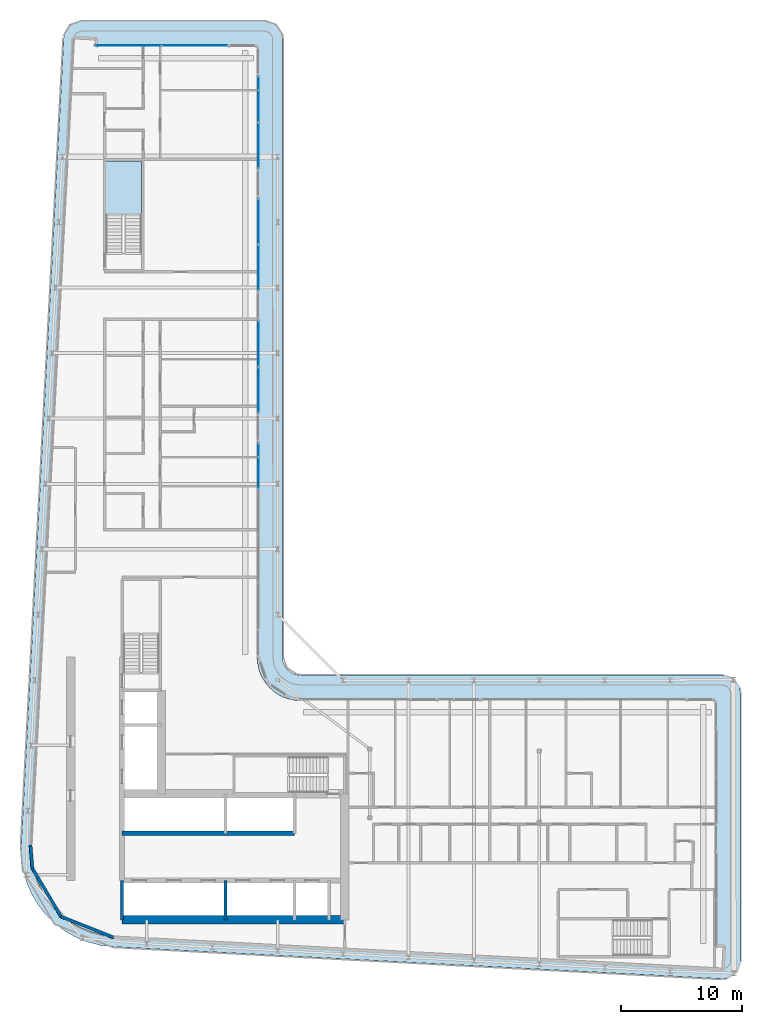
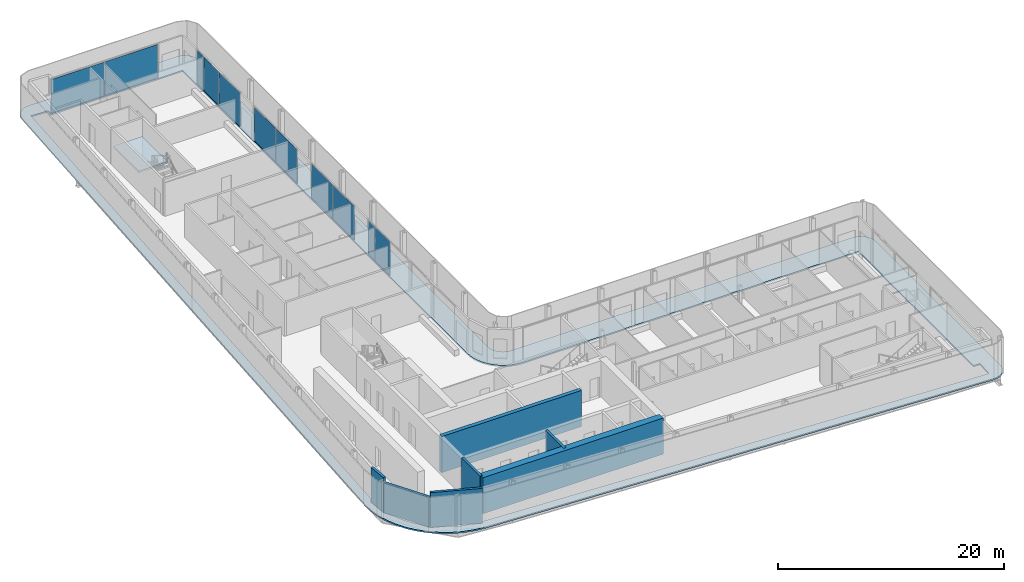
# One storey, part 9 of 22: 11 plates, 7 walls, 2 slabs, 6 elements without a shape of their own.
"""IFC4 building model written with IfcOpenShell, lengths in metres."""

from ifc_helpers import new_model, si_unit, direction, frame, frame_2d, origin, origin_2d, place, context, subcontext, project, spatial, polyline, rectangle, outline, extrude, material, layer, layer_set, type_object, element, aggregate, save


model = new_model("IFC4")

# Units and contexts
model_context = context("Model", 3, precision=1e-05, world=origin(), true_north=direction((0.0, 1.0)))
body_context = subcontext(model_context, "Body", "Model", "MODEL_VIEW")
ifc_project = project(units=[si_unit("LENGTHUNIT", "METRE"), si_unit("AREAUNIT", "SQUARE_METRE"), si_unit("VOLUMEUNIT", "CUBIC_METRE"), si_unit("PLANEANGLEUNIT", "RADIAN"), si_unit("MASSUNIT", "GRAM", prefix="KILO")], contexts=[model_context])

# Site, building, storey
site_placement = place(None, origin())
site = spatial("IfcSite", under=ifc_project, at=site_placement, CompositionType="ELEMENT")
building_placement = place(site_placement, origin())
building = spatial("IfcBuilding", under=site, at=building_placement, Name="Kheshtan School and Residences Tower", CompositionType="ELEMENT")
storey_placement = place(building_placement, frame((0.0, 0.0, 263.0)))
storey = spatial("IfcBuildingStorey", under=building, at=storey_placement, Name="L62", CompositionType="ELEMENT", Elevation=263.0)

# Curtain wall, plates
ifc_material_1 = material(Name="Clear low-e glass in thermally broken aluminium frame", Category="aluminium")
ifc_layer_1 = layer(ifc_material_1, 0.199951171875)
ifc_layer_set_1 = layer_set([ifc_layer_1], Name="Curtain wall CW-L")
curtain_wall_type = type_object("IfcCurtainWallType", Name="Curtain wall CW-L", PredefinedType="NOTDEFINED", material=ifc_layer_set_1)
curtain_wall_1_placement = place(storey_placement, origin())
curtain_wall_1 = element("IfcCurtainWall", 1, at=curtain_wall_1_placement, inside=storey, type_object=curtain_wall_type, Name="Curtain wall CWL7", PredefinedType="NOTDEFINED")
ifc_layer_2 = layer(ifc_material_1, 0.031982421875)
ifc_layer_set_2 = layer_set([ifc_layer_2], Name="CW-L glass panel")
plate_type = type_object("IfcPlateType", Name="CW-L glass panel", PredefinedType="CURTAIN_PANEL", material=ifc_layer_set_2)
plate_1_placement = place(storey_placement, frame((35.259033203125, 98.0, 0.0), z_axis=(0.0, 0.0, 1.0), x_axis=(1.0, 0.0, 0.0)))
plate_1 = element("IfcPlate", 2, at=plate_1_placement, type_object=plate_type, Name="CWL7 panel 1.1", PredefinedType="CURTAIN_PANEL", context=body_context, shape_type="SweptSolid", body=[
    extrude(rectangle(XDim=5.4140625, YDim=0.031982421875, at=origin_2d()), origin(), (0.0, 0.0, 1.0), 3.6298828125),
])
plate_2_placement = place(storey_placement, frame((40.73291015625, 98.0, 0.0), z_axis=(0.0, 0.0, 1.0), x_axis=(1.0, 0.0, 0.0)))
plate_2 = element("IfcPlate", 3, at=plate_2_placement, type_object=plate_type, Name="CWL7 panel 2.1", PredefinedType="CURTAIN_PANEL", context=body_context, shape_type="SweptSolid", body=[
    extrude(rectangle(XDim=5.4140625, YDim=0.031982421875, at=origin_2d()), origin(), (0.0, 0.0, 1.0), 3.6298828125),
])
aggregate(curtain_wall_1, [plate_1, plate_2])

curtain_wall_2_placement = place(storey_placement, origin())
curtain_wall_2 = element("IfcCurtainWall", 4, at=curtain_wall_2_placement, inside=storey, type_object=curtain_wall_type, Name="Curtain wall CWL8c", PredefinedType="NOTDEFINED")
plate_3_placement = place(storey_placement, frame((46.0, 94.885009765625, 0.0), z_axis=(0.0, 0.0, 1.0), x_axis=(0.0, -1.0, 0.0)))
plate_3 = element("IfcPlate", 5, at=plate_3_placement, type_object=plate_type, Name="CWL8c panel 1.1", PredefinedType="CURTAIN_PANEL", context=body_context, shape_type="SweptSolid", body=[
    extrude(rectangle(XDim=1.110107421875, YDim=0.031982421875, at=origin_2d()), origin(), (0.0, 0.0, 1.0), 3.6298828125),
])
plate_4_placement = place(storey_placement, frame((46.0, 92.9765625, 0.0), z_axis=(0.0, 0.0, 1.0), x_axis=(0.0, -1.0, 0.0)))
plate_4 = element("IfcPlate", 6, at=plate_4_placement, type_object=plate_type, Name="CWL8c panel 2.1", PredefinedType="CURTAIN_PANEL", context=body_context, shape_type="SweptSolid", body=[
    extrude(rectangle(XDim=2.5869140625, YDim=0.031982421875, at=origin_2d()), origin(), (0.0, 0.0, 1.0), 3.6298828125),
])
plate_5_placement = place(storey_placement, frame((46.0, 89.744384765625, 0.0), z_axis=(0.0, 0.0, 1.0), x_axis=(0.0, -1.0, 0.0)))
plate_5 = element("IfcPlate", 7, at=plate_5_placement, type_object=plate_type, Name="CWL8c panel 3.1", PredefinedType="CURTAIN_PANEL", context=body_context, shape_type="SweptSolid", body=[
    extrude(rectangle(XDim=3.757080078125, YDim=0.031982421875, at=origin_2d()), origin(), (0.0, 0.0, 1.0), 3.6298828125),
])
aggregate(curtain_wall_2, [plate_3, plate_4, plate_5])

curtain_wall_3_placement = place(storey_placement, origin())
curtain_wall_3 = element("IfcCurtainWall", 8, at=curtain_wall_3_placement, inside=storey, type_object=curtain_wall_type, Name="Curtain wall CWL8", PredefinedType="NOTDEFINED")
plate_6_placement = place(storey_placement, frame((46.0, 83.467529296875, 0.0), z_axis=(0.0, 0.0, 1.0), x_axis=(0.0, -1.0, 0.0)))
plate_6 = element("IfcPlate", 9, at=plate_6_placement, type_object=plate_type, Name="CWL8 panel 1.1", PredefinedType="CURTAIN_PANEL", context=body_context, shape_type="SweptSolid", body=[
    extrude(rectangle(XDim=3.757080078125, YDim=0.031982421875, at=origin_2d()), origin(), (0.0, 0.0, 1.0), 3.6298828125),
])
plate_7_placement = place(storey_placement, frame((46.0, 79.650390625, 0.0), z_axis=(0.0, 0.0, 1.0), x_axis=(0.0, -1.0, 0.0)))
plate_7 = element("IfcPlate", 10, at=plate_7_placement, type_object=plate_type, Name="CWL8 panel 2.1", PredefinedType="CURTAIN_PANEL", context=body_context, shape_type="SweptSolid", body=[
    extrude(rectangle(XDim=3.757080078125, YDim=0.031982421875, at=origin_2d()), origin(), (0.0, 0.0, 1.0), 3.6298828125),
])
aggregate(curtain_wall_3, [plate_6, plate_7])

curtain_wall_4_placement = place(storey_placement, origin())
curtain_wall_4 = element("IfcCurtainWall", 11, at=curtain_wall_4_placement, inside=storey, type_object=curtain_wall_type, Name="Curtain wall CWL8", PredefinedType="NOTDEFINED")
plate_8_placement = place(storey_placement, frame((46.0, 73.37353515625, 0.0), z_axis=(0.0, 0.0, 1.0), x_axis=(0.0, -1.0, 0.0)))
plate_8 = element("IfcPlate", 12, at=plate_8_placement, type_object=plate_type, Name="CWL8 panel 1.1", PredefinedType="CURTAIN_PANEL", context=body_context, shape_type="SweptSolid", body=[
    extrude(rectangle(XDim=3.757080078125, YDim=0.031982421875, at=origin_2d()), origin(), (0.0, 0.0, 1.0), 3.6298828125),
])
plate_9_placement = place(storey_placement, frame((46.0, 69.556396484375, 0.0), z_axis=(0.0, 0.0, 1.0), x_axis=(0.0, -1.0, 0.0)))
plate_9 = element("IfcPlate", 13, at=plate_9_placement, type_object=plate_type, Name="CWL8 panel 2.1", PredefinedType="CURTAIN_PANEL", context=body_context, shape_type="SweptSolid", body=[
    extrude(rectangle(XDim=3.757080078125, YDim=0.031982421875, at=origin_2d()), origin(), (0.0, 0.0, 1.0), 3.6298828125),
])
aggregate(curtain_wall_4, [plate_8, plate_9])

curtain_wall_5_placement = place(storey_placement, origin())
curtain_wall_5 = element("IfcCurtainWall", 14, at=curtain_wall_5_placement, inside=storey, type_object=curtain_wall_type, Name="Curtain wall CWL8c", PredefinedType="NOTDEFINED")
plate_10_placement = place(storey_placement, frame((46.0, 64.593994140625, 0.0), z_axis=(0.0, 0.0, 1.0), x_axis=(0.0, -1.0, 0.0)))
plate_10 = element("IfcPlate", 15, at=plate_10_placement, type_object=plate_type, Name="CWL8c panel 1.1", PredefinedType="CURTAIN_PANEL", context=body_context, shape_type="SweptSolid", body=[
    extrude(rectangle(XDim=1.1279296875, YDim=0.031982421875, at=origin_2d()), origin(), (0.0, 0.0, 1.0), 3.6298828125),
])
plate_11_placement = place(storey_placement, frame((46.0, 62.685546875, 0.0), z_axis=(0.0, 0.0, 1.0), x_axis=(0.0, -1.0, 0.0)))
plate_11 = element("IfcPlate", 16, at=plate_11_placement, type_object=plate_type, Name="CWL8c panel 2.1", PredefinedType="CURTAIN_PANEL", context=body_context, shape_type="SweptSolid", body=[
    extrude(rectangle(XDim=2.569091796875, YDim=0.031982421875, at=origin_2d()), origin(), (0.0, 0.0, 1.0), 3.6298828125),
])
aggregate(curtain_wall_5, [plate_10, plate_11])

# Slab
ifc_material_2 = material(Name="Concrete C40/50", Category="concrete")
ifc_layer_3 = layer(ifc_material_2, 0.14990234375)
ifc_layer_set_3 = layer_set([ifc_layer_3], Name="Loggia balcony slab 150 Concrete C40/50")
slab_type_1 = type_object("IfcSlabType", Name="Loggia balcony slab 150 Concrete C40/50", PredefinedType="FLOOR", material=ifc_layer_set_3)
slab_1_placement = place(storey_placement, frame((0.0, 0.0, -0.14990234375)))
element("IfcSlab", 17, at=slab_1_placement, inside=storey, type_object=slab_type_1, Name="Loggia balcony slab L62", PredefinedType="FLOOR", context=body_context, shape_type="SweptSolid", body=[
    extrude(outline(polyline([(28.4580078125, 26.222900390625), (28.45703125, 26.222900390625), (28.45703125, 26.22412109375), (28.4560546875, 26.22412109375), (27.81494140625, 27.0390625), (27.281005859375, 27.93798828125), (26.867919921875, 28.89990234375), (26.583984375, 29.89990234375), (26.583984375, 29.906982421875), (26.43408203125, 30.943115234375), (26.419921875, 31.989013671875), (29.925048828125, 98.5791015625), (29.930908203125, 98.626953125), (29.930908203125, 98.6279296875), (29.929931640625, 98.6279296875), (29.929931640625, 98.62890625), (29.928955078125, 98.62890625), (29.928955078125, 98.6298828125), (29.927978515625, 98.6298828125), (29.927978515625, 98.631103515625), (29.927001953125, 98.631103515625), (29.927001953125, 98.632080078125), (29.927001953125, 98.633056640625), (29.945068359375, 98.781005859375), (29.945068359375, 98.783935546875), (29.945068359375, 98.784912109375), (29.946044921875, 98.784912109375), (29.946044921875, 98.785888671875), (29.947021484375, 98.785888671875), (29.947021484375, 98.787109375), (29.947998046875, 98.787109375), (29.948974609375, 98.787109375), (29.948974609375, 98.7880859375), (29.949951171875, 98.7880859375), (29.949951171875, 98.7890625), (29.949951171875, 98.791015625), (30.0029296875, 98.98388671875), (30.083984375, 99.175048828125), (30.18896484375, 99.35302734375), (30.31103515625, 99.507080078125), (30.31201171875, 99.507080078125), (30.31201171875, 99.508056640625), (30.31298828125, 99.508056640625), (30.31298828125, 99.509033203125), (30.31396484375, 99.509033203125), (30.31396484375, 99.510009765625), (30.31494140625, 99.510009765625), (30.31494140625, 99.510986328125), (30.31591796875, 99.510986328125), (30.31591796875, 99.511962890625), (30.31689453125, 99.511962890625), (30.31689453125, 99.512939453125), (30.318115234375, 99.512939453125), (30.322021484375, 99.512939453125), (30.322998046875, 99.512939453125), (30.322998046875, 99.513916015625), (30.468017578125, 99.656982421875), (30.468994140625, 99.656982421875), (30.468994140625, 99.657958984375), (30.469970703125, 99.657958984375), (30.469970703125, 99.658935546875), (30.470947265625, 99.658935546875), (30.470947265625, 99.659912109375), (30.471923828125, 99.659912109375), (30.471923828125, 99.660888671875), (30.472900390625, 99.660888671875), (30.472900390625, 99.662109375), (30.47412109375, 99.662109375), (30.47412109375, 99.6630859375), (30.47509765625, 99.6630859375), (30.47509765625, 99.6640625), (30.635986328125, 99.777099609375), (30.820068359375, 99.873046875), (31.007080078125, 99.943115234375), (31.013916015625, 99.943115234375), (31.217041015625, 99.986083984375), (31.423095703125, 100.0), (46.5, 100.0), (46.696044921875, 99.987060546875), (46.887939453125, 99.948974609375), (46.89501953125, 99.948974609375), (47.073974609375, 99.885986328125), (47.242919921875, 99.801025390625), (47.243896484375, 99.801025390625), (47.2470703125, 99.801025390625), (47.248046875, 99.801025390625), (47.248046875, 99.802001953125), (47.2490234375, 99.802001953125), (47.2490234375, 99.802978515625), (47.25, 99.802978515625), (47.2529296875, 99.802978515625), (47.25390625, 99.802978515625), (47.25390625, 99.802001953125), (47.2548828125, 99.802001953125), (47.2548828125, 99.801025390625), (47.256103515625, 99.801025390625), (47.256103515625, 99.800048828125), (47.257080078125, 99.800048828125), (47.257080078125, 99.799072265625), (47.258056640625, 99.799072265625), (47.258056640625, 99.798095703125), (47.412109375, 99.696044921875), (47.4130859375, 99.696044921875), (47.4130859375, 99.695068359375), (47.4140625, 99.695068359375), (47.4140625, 99.694091796875), (47.4140625, 99.68994140625), (47.4140625, 99.68896484375), (47.4150390625, 99.68896484375), (47.4150390625, 99.68798828125), (47.416015625, 99.68798828125), (47.416015625, 99.68701171875), (47.4169921875, 99.68701171875), (47.4169921875, 99.68603515625), (47.554931640625, 99.568115234375), (47.554931640625, 99.56689453125), (47.555908203125, 99.56689453125), (47.555908203125, 99.56591796875), (47.556884765625, 99.56591796875), (47.556884765625, 99.56494140625), (47.55810546875, 99.56494140625), (47.55810546875, 99.56396484375), (47.55908203125, 99.56396484375), (47.55908203125, 99.56298828125), (47.56005859375, 99.56298828125), (47.56005859375, 99.56201171875), (47.56103515625, 99.56201171875), (47.56201171875, 99.56103515625), (47.56201171875, 99.56005859375), (47.56298828125, 99.56005859375), (47.56298828125, 99.55908203125), (47.56396484375, 99.55908203125), (47.56396484375, 99.55810546875), (47.56494140625, 99.55810546875), (47.56494140625, 99.556884765625), (47.56591796875, 99.556884765625), (47.56591796875, 99.555908203125), (47.56689453125, 99.555908203125), (47.56689453125, 99.554931640625), (47.568115234375, 99.554931640625), (47.68505859375, 99.41796875), (47.68603515625, 99.41796875), (47.68603515625, 99.4169921875), (47.68701171875, 99.4169921875), (47.68701171875, 99.416015625), (47.68798828125, 99.416015625), (47.68798828125, 99.4150390625), (47.68896484375, 99.4150390625), (47.68896484375, 99.4140625), (47.68994140625, 99.4140625), (47.694091796875, 99.4140625), (47.695068359375, 99.4140625), (47.695068359375, 99.4130859375), (47.696044921875, 99.4130859375), (47.696044921875, 99.412109375), (47.797119140625, 99.259033203125), (47.798095703125, 99.259033203125), (47.798095703125, 99.258056640625), (47.799072265625, 99.258056640625), (47.799072265625, 99.257080078125), (47.800048828125, 99.257080078125), (47.800048828125, 99.256103515625), (47.801025390625, 99.256103515625), (47.801025390625, 99.2548828125), (47.802001953125, 99.2548828125), (47.802001953125, 99.25390625), (47.802978515625, 99.25390625), (47.802978515625, 99.2529296875), (47.802978515625, 99.25), (47.802978515625, 99.2490234375), (47.802001953125, 99.2490234375), (47.802001953125, 99.248046875), (47.801025390625, 99.248046875), (47.801025390625, 99.2470703125), (47.801025390625, 99.242919921875), (47.801025390625, 99.241943359375), (47.885986328125, 99.073974609375), (47.948974609375, 98.89501953125), (47.948974609375, 98.887939453125), (47.987060546875, 98.696044921875), (48.0, 98.5), (48.0, 47.5), (48.012939453125, 47.303955078125), (48.051025390625, 47.113037109375), (48.051025390625, 47.10693359375), (48.051025390625, 47.10595703125), (48.114013671875, 46.926025390625), (48.200927734375, 46.75), (48.31005859375, 46.5869140625), (48.431884765625, 46.444091796875), (48.43310546875, 46.444091796875), (48.43310546875, 46.443115234375), (48.43408203125, 46.443115234375), (48.43408203125, 46.44189453125), (48.43505859375, 46.44189453125), (48.43505859375, 46.44091796875), (48.43603515625, 46.44091796875), (48.43603515625, 46.43994140625), (48.43701171875, 46.43994140625), (48.43701171875, 46.43896484375), (48.43798828125, 46.43896484375), (48.43896484375, 46.43798828125), (48.43896484375, 46.43701171875), (48.43994140625, 46.43701171875), (48.43994140625, 46.43603515625), (48.44091796875, 46.43603515625), (48.44091796875, 46.43505859375), (48.44189453125, 46.43505859375), (48.44189453125, 46.43408203125), (48.443115234375, 46.43408203125), (48.443115234375, 46.43310546875), (48.444091796875, 46.43310546875), (48.444091796875, 46.431884765625), (48.5869140625, 46.31005859375), (48.75, 46.200927734375), (48.926025390625, 46.114013671875), (49.10595703125, 46.051025390625), (49.10693359375, 46.051025390625), (49.113037109375, 46.051025390625), (49.303955078125, 46.012939453125), (49.5, 46.0), (84.300048828125, 46.0), (84.49609375, 45.987060546875), (84.68798828125, 45.948974609375), (84.695068359375, 45.948974609375), (84.8740234375, 45.885986328125), (85.0419921875, 45.801025390625), (85.04296875, 45.801025390625), (85.047119140625, 45.801025390625), (85.048095703125, 45.801025390625), (85.048095703125, 45.802001953125), (85.049072265625, 45.802001953125), (85.049072265625, 45.802978515625), (85.050048828125, 45.802978515625), (85.052978515625, 45.802978515625), (85.053955078125, 45.802978515625), (85.053955078125, 45.802001953125), (85.054931640625, 45.802001953125), (85.054931640625, 45.801025390625), (85.055908203125, 45.801025390625), (85.055908203125, 45.800048828125), (85.056884765625, 45.800048828125), (85.056884765625, 45.799072265625), (85.05810546875, 45.799072265625), (85.05810546875, 45.798095703125), (85.05908203125, 45.798095703125), (85.05908203125, 45.797119140625), (85.06005859375, 45.797119140625), (85.06005859375, 45.7958984375), (85.2119140625, 45.696044921875), (85.212890625, 45.696044921875), (85.212890625, 45.695068359375), (85.214111328125, 45.695068359375), (85.214111328125, 45.694091796875), (85.214111328125, 45.68994140625), (85.214111328125, 45.68896484375), (85.215087890625, 45.68896484375), (85.215087890625, 45.68798828125), (85.216064453125, 45.68798828125), (85.216064453125, 45.68701171875), (85.217041015625, 45.68701171875), (85.217041015625, 45.68603515625), (85.218017578125, 45.68603515625), (85.218017578125, 45.68505859375), (85.218994140625, 45.68505859375), (85.218994140625, 45.68408203125), (85.35498046875, 45.568115234375), (85.35498046875, 45.56689453125), (85.35595703125, 45.56689453125), (85.35595703125, 45.56591796875), (85.35693359375, 45.56591796875), (85.35693359375, 45.56494140625), (85.35791015625, 45.56494140625), (85.35791015625, 45.56396484375), (85.35888671875, 45.56396484375), (85.35888671875, 45.56298828125), (85.360107421875, 45.56298828125), (85.360107421875, 45.56201171875), (85.361083984375, 45.56201171875), (85.362060546875, 45.56103515625), (85.362060546875, 45.56005859375), (85.363037109375, 45.56005859375), (85.363037109375, 45.55908203125), (85.364013671875, 45.55908203125), (85.364013671875, 45.55810546875), (85.364990234375, 45.55810546875), (85.364990234375, 45.556884765625), (85.365966796875, 45.556884765625), (85.365966796875, 45.555908203125), (85.366943359375, 45.555908203125), (85.366943359375, 45.554931640625), (85.367919921875, 45.554931640625), (85.48193359375, 45.4208984375), (85.48291015625, 45.4208984375), (85.48291015625, 45.419921875), (85.48388671875, 45.419921875), (85.48388671875, 45.4189453125), (85.485107421875, 45.4189453125), (85.485107421875, 45.41796875), (85.486083984375, 45.41796875), (85.486083984375, 45.4169921875), (85.487060546875, 45.4169921875), (85.487060546875, 45.416015625), (85.488037109375, 45.416015625), (85.488037109375, 45.4150390625), (85.489013671875, 45.4150390625), (85.489013671875, 45.4140625), (85.489990234375, 45.4140625), (85.493896484375, 45.4140625), (85.4951171875, 45.4140625), (85.4951171875, 45.4130859375), (85.49609375, 45.4130859375), (85.49609375, 45.412109375), (85.593994140625, 45.261962890625), (85.594970703125, 45.261962890625), (85.594970703125, 45.260986328125), (85.595947265625, 45.260986328125), (85.595947265625, 45.260009765625), (85.596923828125, 45.260009765625), (85.596923828125, 45.259033203125), (85.597900390625, 45.259033203125), (85.597900390625, 45.258056640625), (85.59912109375, 45.258056640625), (85.59912109375, 45.257080078125), (85.60009765625, 45.257080078125), (85.60009765625, 45.256103515625), (85.60107421875, 45.256103515625), (85.60107421875, 45.2548828125), (85.60205078125, 45.2548828125), (85.60205078125, 45.25390625), (85.60302734375, 45.25390625), (85.60302734375, 45.2529296875), (85.60302734375, 45.25), (85.60302734375, 45.2490234375), (85.60205078125, 45.2490234375), (85.60205078125, 45.248046875), (85.60107421875, 45.248046875), (85.60107421875, 45.2470703125), (85.60107421875, 45.240966796875), (85.60107421875, 45.239990234375), (85.68603515625, 45.073974609375), (85.7490234375, 44.89501953125), (85.7490234375, 44.887939453125), (85.787109375, 44.696044921875), (85.800048828125, 44.5), (85.800048828125, 22.43408203125), (85.785888671875, 22.23095703125), (85.7451171875, 22.032958984375), (85.7451171875, 22.02587890625), (85.677978515625, 21.841064453125), (85.5859375, 21.660888671875), (85.470947265625, 21.49609375), (85.470947265625, 21.4951171875), (85.470947265625, 21.493896484375), (85.470947265625, 21.492919921875), (85.471923828125, 21.492919921875), (85.471923828125, 21.491943359375), (85.471923828125, 21.489990234375), (85.471923828125, 21.489013671875), (85.470947265625, 21.489013671875), (85.470947265625, 21.488037109375), (85.337890625, 21.343994140625), (85.3349609375, 21.341064453125), (85.333984375, 21.341064453125), (85.333984375, 21.340087890625), (85.3330078125, 21.340087890625), (85.3310546875, 21.340087890625), (85.330078125, 21.340087890625), (85.330078125, 21.341064453125), (85.3291015625, 21.341064453125), (85.327880859375, 21.341064453125), (85.326904296875, 21.341064453125), (85.176025390625, 21.216064453125), (85.00390625, 21.10888671875), (84.819091796875, 21.02587890625), (84.631103515625, 20.968994140625), (84.6240234375, 20.968994140625), (84.424072265625, 20.93896484375), (84.220947265625, 20.93603515625), (33.989013671875, 23.580078125), (33.94189453125, 23.5859375), (33.94091796875, 23.5859375), (33.93994140625, 23.5859375), (33.93994140625, 23.5849609375), (33.93896484375, 23.5849609375), (33.93896484375, 23.583984375), (33.93798828125, 23.583984375), (33.93798828125, 23.5830078125), (33.93701171875, 23.5830078125), (33.93701171875, 23.58203125), (33.93603515625, 23.58203125), (33.93505859375, 23.58203125), (32.952880859375, 23.697998046875), (32.949951171875, 23.697998046875), (32.948974609375, 23.697998046875), (32.948974609375, 23.698974609375), (32.947998046875, 23.698974609375), (32.947998046875, 23.699951171875), (32.947021484375, 23.699951171875), (32.947021484375, 23.700927734375), (32.947021484375, 23.702880859375), (32.947021484375, 23.7041015625), (32.946044921875, 23.7041015625), (32.946044921875, 23.705078125), (32.945068359375, 23.705078125), (32.944091796875, 23.705078125), (31.93603515625, 23.9609375), (31.928955078125, 23.9609375), (30.964111328125, 24.34912109375), (30.051025390625, 24.860107421875), (29.218994140625, 25.47900390625), (29.218994140625, 25.47998046875), (29.218017578125, 25.47998046875), (29.218017578125, 25.48095703125), (29.217041015625, 25.48095703125), (29.217041015625, 25.48193359375), (29.216064453125, 25.48193359375), (29.216064453125, 25.48291015625), (29.215087890625, 25.48291015625), (29.215087890625, 25.48388671875), (29.214111328125, 25.48388671875), (29.214111328125, 25.485107421875), (29.212890625, 25.485107421875), (29.212890625, 25.486083984375), (29.2119140625, 25.486083984375), (28.468017578125, 26.217041015625), (28.468017578125, 26.218017578125), (28.467041015625, 26.218017578125), (28.462890625, 26.218017578125), (28.4619140625, 26.218017578125), (28.4619140625, 26.218994140625), (28.4609375, 26.218994140625), (28.4609375, 26.219970703125), (28.4599609375, 26.219970703125), (28.4599609375, 26.220947265625), (28.458984375, 26.220947265625), (28.458984375, 26.221923828125), (28.4580078125, 26.221923828125), (28.4580078125, 26.222900390625)]), holes=[polyline([(29.12890625, 26.824951171875), (29.12890625, 26.823974609375), (29.1298828125, 26.823974609375), (29.1298828125, 26.822998046875), (29.131103515625, 26.822998046875), (29.131103515625, 26.822021484375), (29.132080078125, 26.822021484375), (29.132080078125, 26.821044921875), (29.133056640625, 26.821044921875), (29.133056640625, 26.820068359375), (29.134033203125, 26.820068359375), (29.7939453125, 26.173095703125), (29.7939453125, 26.172119140625), (29.794921875, 26.172119140625), (29.798095703125, 26.172119140625), (29.799072265625, 26.172119140625), (29.799072265625, 26.1708984375), (29.800048828125, 26.1708984375), (29.800048828125, 26.169921875), (29.801025390625, 26.169921875), (29.801025390625, 26.1689453125), (29.802001953125, 26.1689453125), (29.802001953125, 26.16796875), (29.802978515625, 26.16796875), (29.802978515625, 26.1669921875), (29.803955078125, 26.1669921875), (29.803955078125, 26.166015625), (30.541015625, 25.616943359375), (31.35205078125, 25.1630859375), (32.208984375, 24.819091796875), (32.2099609375, 24.819091796875), (32.216064453125, 24.819091796875), (33.114990234375, 24.590087890625), (34.06591796875, 24.47705078125), (84.238037109375, 21.8359375), (84.264892578125, 21.8369140625), (84.26611328125, 21.8369140625), (84.26708984375, 21.8369140625), (84.26708984375, 21.837890625), (84.26806640625, 21.837890625), (84.26806640625, 21.839111328125), (84.26806640625, 21.840087890625), (84.35791015625, 23.529052734375), (84.35791015625, 23.530029296875), (84.35791015625, 23.531005859375), (84.35693359375, 23.531005859375), (84.35693359375, 23.531982421875), (84.35595703125, 23.531982421875), (84.35498046875, 23.531982421875), (83.700927734375, 23.56689453125), (83.699951171875, 23.56689453125), (83.699951171875, 23.568115234375), (83.699951171875, 43.89794921875), (83.699951171875, 43.89892578125), (83.698974609375, 43.89892578125), (83.698974609375, 43.89990234375), (83.697998046875, 43.89990234375), (49.429931640625, 43.89990234375), (49.030029296875, 43.927001953125), (48.569091796875, 44.01806640625), (48.56201171875, 44.01806640625), (48.1201171875, 44.169921875), (47.697021484375, 44.37890625), (47.30810546875, 44.638916015625), (46.95703125, 44.944091796875), (46.95703125, 44.945068359375), (46.9560546875, 44.945068359375), (46.9560546875, 44.946044921875), (46.955078125, 44.946044921875), (46.955078125, 44.947021484375), (46.9541015625, 44.947021484375), (46.9541015625, 44.947998046875), (46.952880859375, 44.947998046875), (46.952880859375, 44.948974609375), (46.951904296875, 44.948974609375), (46.951904296875, 44.949951171875), (46.951904296875, 44.950927734375), (46.950927734375, 44.950927734375), (46.950927734375, 44.951904296875), (46.949951171875, 44.951904296875), (46.948974609375, 44.951904296875), (46.948974609375, 44.952880859375), (46.947998046875, 44.952880859375), (46.947998046875, 44.9541015625), (46.947021484375, 44.9541015625), (46.947021484375, 44.955078125), (46.946044921875, 44.955078125), (46.946044921875, 44.9560546875), (46.945068359375, 44.9560546875), (46.945068359375, 44.95703125), (46.944091796875, 44.95703125), (46.638916015625, 45.30810546875), (46.37890625, 45.697021484375), (46.169921875, 46.1201171875), (46.01806640625, 46.56201171875), (46.01806640625, 46.569091796875), (45.927001953125, 47.030029296875), (45.89990234375, 47.429931640625), (45.89990234375, 97.89794921875), (45.89990234375, 97.89892578125), (45.89892578125, 97.89892578125), (45.89892578125, 97.89990234375), (45.89794921875, 97.89990234375), (32.492919921875, 97.89990234375), (32.491943359375, 97.89990234375), (32.52099609375, 98.43896484375), (32.52099609375, 98.43994140625), (32.52099609375, 98.44091796875), (32.52001953125, 98.44091796875), (32.52001953125, 98.44189453125), (32.51904296875, 98.44189453125), (32.51806640625, 98.44189453125), (30.8291015625, 98.531982421875), (30.827880859375, 98.531982421875), (30.826904296875, 98.531982421875), (30.826904296875, 98.531005859375), (30.825927734375, 98.531005859375), (30.825927734375, 98.530029296875), (30.825927734375, 98.529052734375), (30.822021484375, 98.5009765625), (27.320068359375, 31.970947265625), (27.3330078125, 31.013916015625), (27.466064453125, 30.093994140625), (27.466064453125, 30.087890625), (27.466064453125, 30.0869140625), (27.718017578125, 29.200927734375), (28.0849609375, 28.345947265625), (28.55908203125, 27.550048828125), (29.126953125, 26.825927734375), (29.1279296875, 26.825927734375), (29.1279296875, 26.824951171875), (29.12890625, 26.824951171875)])]), origin(), (0.0, 0.0, 1.0), 0.14990234375),
])

# Stair, slab
stair_type = type_object("IfcStairType", Name="Exit stair, half-turn", PredefinedType="HALF_TURN_STAIR", material=ifc_material_2)
stair_placement = place(storey_placement, origin())
stair = element("IfcStair", 18, at=stair_placement, inside=storey, type_object=stair_type, Name="L62 Protected Exit Stair ST3", PredefinedType="HALF_TURN_STAIR")
ifc_layer_4 = layer(ifc_material_2, 0.199951171875)
ifc_layer_set_4 = layer_set([ifc_layer_4], Name="Stair landing 200 Concrete C40/50")
slab_type_2 = type_object("IfcSlabType", Name="Stair landing 200 Concrete C40/50", PredefinedType="LANDING", material=ifc_layer_set_4)
slab_2_placement = place(storey_placement, frame((0.0, 0.0, 1.75)))
slab_2 = element("IfcSlab", 19, at=slab_2_placement, type_object=slab_type_2, Name="ST3 landing 1", PredefinedType="LANDING", context=body_context, shape_type="SweptSolid", body=[
    extrude(outline(polyline([(36.35009765625, 83.97998046875), (36.35009765625, 88.4599609375), (33.39990234375, 88.4599609375), (33.39990234375, 83.97998046875), (36.35009765625, 83.97998046875)])), origin(), (0.0, 0.0, 1.0), 0.199951171875),
])
aggregate(stair, [slab_2])

# Walls
ifc_material_3 = material(Name="Concrete C50/60", Category="concrete")
ifc_layer_5 = layer(ifc_material_3, 0.39990234375)
ifc_layer_set_5 = layer_set([ifc_layer_5], Name="Core wall 400 Concrete C50/60")
wall_type_1 = type_object("IfcWallType", Name="Core wall 400 Concrete C50/60", PredefinedType="SHEAR", material=ifc_layer_set_5)
wall_1_placement = place(storey_placement, frame((34.75, 32.949951171875, 0.0), z_axis=(0.0, 0.0, 1.0), x_axis=(1.0, 0.0, 0.0)))
element("IfcWall", 20, at=wall_1_placement, inside=storey, type_object=wall_type_1, Name="Core wall CW-HALL-S2", PredefinedType="SHEAR", context=body_context, shape_type="SweptSolid", body=[
    extrude(rectangle(XDim=14.25, YDim=0.39990234375, at=frame_2d((7.125, 0.0))), origin(), (0.0, 0.0, 1.0), 3.89990234375),
])
ifc_material_4 = material(Name="Concrete C70/85", Category="concrete")
ifc_layer_6 = layer(ifc_material_4, 0.699951171875)
ifc_layer_set_6 = layer_set([ifc_layer_6], Name="Core wall 700 Concrete C70/85")
wall_type_2 = type_object("IfcWallType", Name="Core wall 700 Concrete C70/85", PredefinedType="SHEAR", material=ifc_layer_set_6)
wall_2_placement = place(storey_placement, frame((34.75, 25.800048828125, 0.0), z_axis=(0.0, 0.0, 1.0), x_axis=(1.0, 0.0, 0.0)))
element("IfcWall", 21, at=wall_2_placement, inside=storey, type_object=wall_type_2, Name="Core wall CW-REAR-S", PredefinedType="SHEAR", context=body_context, shape_type="SweptSolid", body=[
    extrude(rectangle(XDim=18.39990234375, YDim=0.699951171875, at=frame_2d((9.199951171875, 0.0))), origin(), (0.0, 0.0, 1.0), 3.89990234375),
])
ifc_material_5 = material(Name="Concrete C40/50 with ceramic cladding and mineral wool insulation", Category="concrete")
ifc_layer_7 = layer(ifc_material_5, 0.25)
ifc_layer_set_7 = layer_set([ifc_layer_7], Name="External wall 250 ceramic clad")
wall_type_3 = type_object("IfcWallType", Name="External wall 250 ceramic clad", PredefinedType="SOLIDWALL", material=ifc_layer_set_7)
wall_3_placement = place(storey_placement, frame((34.0390625, 24.35302734375, 0.0), z_axis=(0.0, 0.0, 1.0), x_axis=(-0.929352825399, 0.369192803184, 0.0)))
element("IfcWall", 22, at=wall_3_placement, inside=storey, type_object=wall_type_3, Name="External wall L62 1", PredefinedType="SOLIDWALL", context=body_context, shape_type="SweptSolid", body=[
    extrude(rectangle(XDim=4.656005859375, YDim=0.25, at=frame_2d((2.328125, 0.0))), origin(), (0.0, 0.0, 1.0), 3.75),
])
wall_4_placement = place(storey_placement, frame((29.7119140625, 26.072021484375, 0.0), z_axis=(0.0, 0.0, 1.0), x_axis=(-0.511028049012, 0.859564036662, 0.0)))
element("IfcWall", 23, at=wall_4_placement, inside=storey, type_object=wall_type_3, Name="External wall L62 2", PredefinedType="SOLIDWALL", context=body_context, shape_type="SweptSolid", body=[
    extrude(rectangle(XDim=4.633544921875, YDim=0.25, at=frame_2d((2.31689453125, 0.0))), origin(), (0.0, 0.0, 1.0), 3.217041015625),
])
wall_5_placement = place(storey_placement, frame((27.343994140625, 30.054931640625, 0.0), z_axis=(0.0, 0.0, 1.0), x_axis=(-0.077571675317, 0.99698677784, 0.0)))
element("IfcWall", 24, at=wall_5_placement, inside=storey, type_object=wall_type_3, Name="External wall L62 3", PredefinedType="SOLIDWALL", context=body_context, shape_type="SweptSolid", body=[
    extrude(rectangle(XDim=1.919921875, YDim=0.25, at=frame_2d((0.9599609375, 0.0))), origin(), (0.0, 0.0, 1.0), 3.75),
])
ifc_material_6 = material(Name="Fire-board shaft wall system")
ifc_layer_8 = layer(ifc_material_6, 0.25)
ifc_layer_set_8 = layer_set([ifc_layer_8], Name="Shaft lining wall 250")
wall_type_4 = type_object("IfcWallType", Name="Shaft lining wall 250", PredefinedType="PARTITIONING", material=ifc_layer_set_8)
for number, where, z_axis, x_axis, name in (
    (25, (34.75, 25.800048828125, 0.0), (0.0, 0.0, 1.0), (0.0, 1.0, 0.0), "Shaft lining wall"),
    (26, (43.300048828125, 25.800048828125, 0.0), (0.0, 0.0, 1.0), (0.0, 1.0, 0.0), "Shaft lining wall"),
):
    element("IfcWall", number, at=place(storey_placement, frame(where, z_axis=z_axis, x_axis=x_axis)), inside=storey, type_object=wall_type_4, Name=name, PredefinedType="PARTITIONING", context=body_context, shape_type="SweptSolid", body=[
        extrude(rectangle(XDim=3.25, YDim=0.25, at=frame_2d((1.625, 0.0))), origin(), (0.0, 0.0, 1.0), 3.89990234375),
    ])

save(model, "model.ifc")
